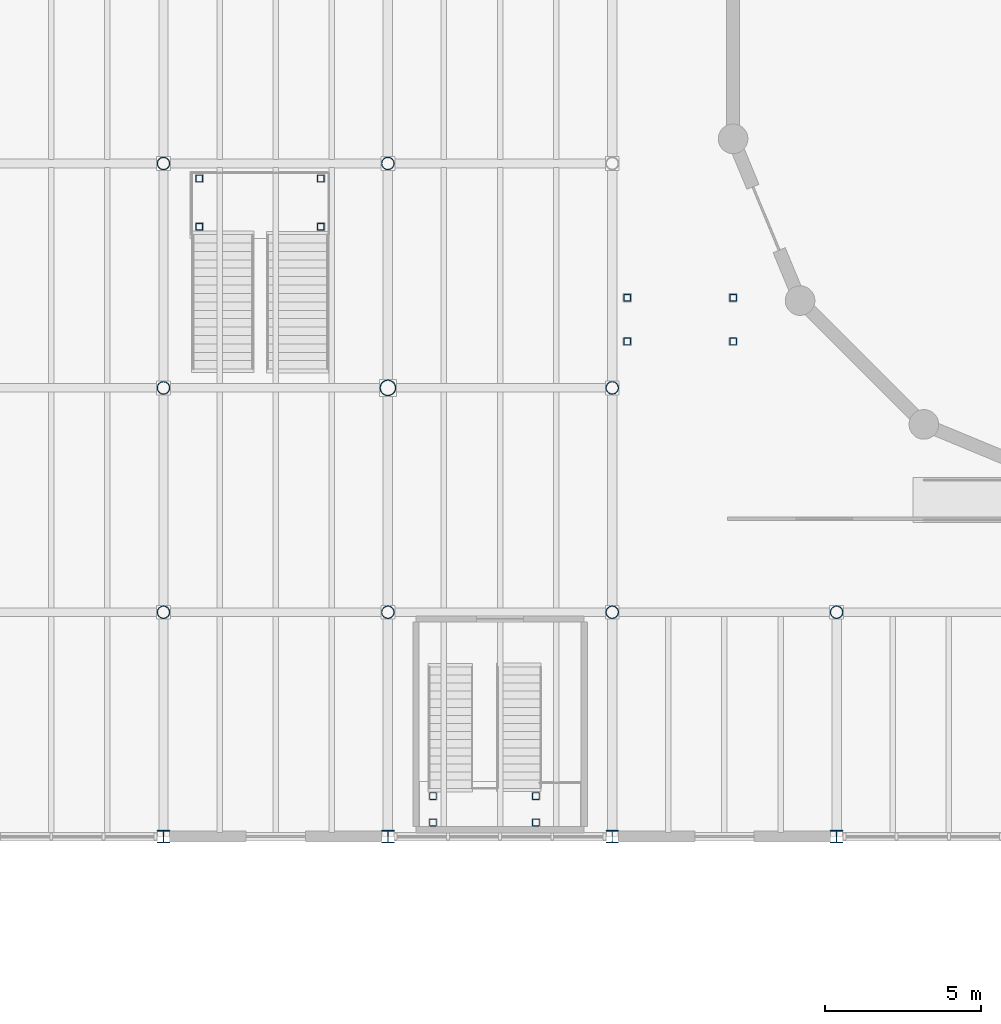
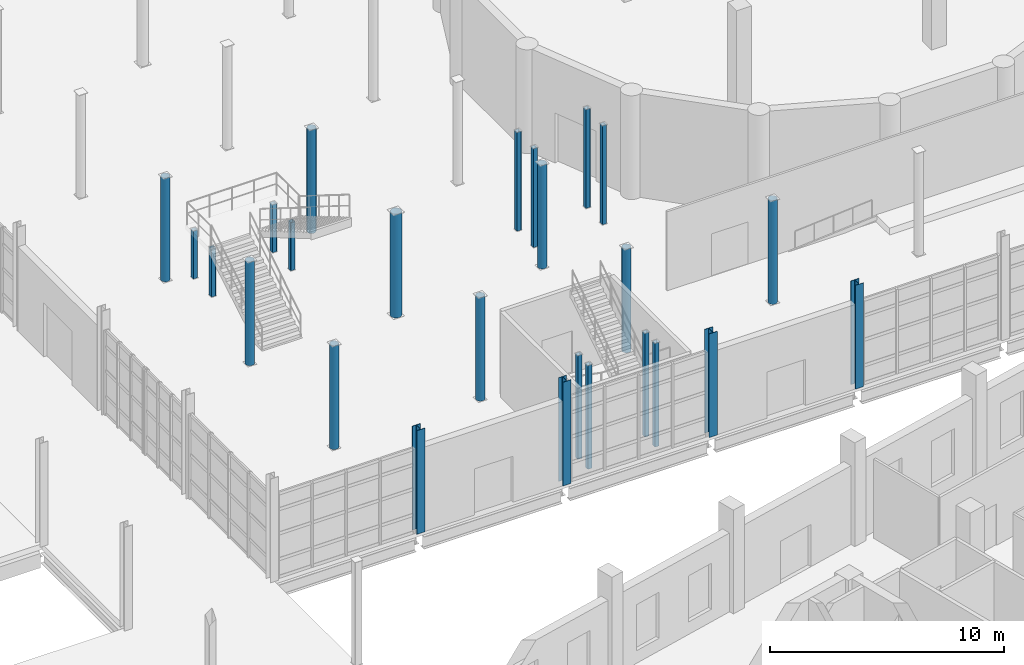
# One storey, part 4 of 79: 25 columns.
"""IFC4 building model written with IfcOpenShell, lengths in metres."""

from ifc_helpers import new_model, si_unit, direction, frame, origin, origin_2d, place, context, subcontext, project, spatial, hollow_rectangle, hollow_circle, i_section, extrude, material, material_profile, profile_set, type_object, element, save


model = new_model("IFC4")

# Units and contexts
model_context = context("Model", 3, precision=1e-05, world=origin(), true_north=direction((0.0, 1.0)))
body_context = subcontext(model_context, "Body", "Model", "MODEL_VIEW")
ifc_project = project(units=[si_unit("LENGTHUNIT", "METRE"), si_unit("AREAUNIT", "SQUARE_METRE"), si_unit("VOLUMEUNIT", "CUBIC_METRE"), si_unit("PLANEANGLEUNIT", "RADIAN"), si_unit("MASSUNIT", "GRAM", prefix="KILO")], contexts=[model_context])

# Site, building, storey
site_placement = place(None, origin())
site = spatial("IfcSite", under=ifc_project, at=site_placement, CompositionType="ELEMENT")
building_placement = place(site_placement, origin())
building = spatial("IfcBuilding", under=site, at=building_placement, Name="Qiaolan Assembly House", CompositionType="ELEMENT")
storey_placement = place(building_placement, origin())
storey = spatial("IfcBuildingStorey", under=building, at=storey_placement, Name="L00", CompositionType="ELEMENT", Elevation=0.0)

# Columns
ifc_material = material(Name="Steel Q355B", Category="steel")
ifc_material_profile_1 = material_profile(ifc_material, hollow_circle(Radius=0.203125, WallThickness=0.013916015625, at=origin_2d()), Name="CHS 406.4x14")
ifc_profile_set_1 = profile_set([ifc_material_profile_1], Name="Steel Q355B")
column_type_1 = type_object("IfcColumnType", Name="COL-STL-CHS406", PredefinedType="COLUMN", material=ifc_profile_set_1)
for number, where, z_axis, x_axis, name in (
    (1, (36.0, 43.199951171875, 0.0), (0.0, 0.0, 1.0), (1.0, 0.0, 0.0), "SC-06 hall column L00"),
    (2, (36.0, 50.39990234375, 0.0), (0.0, 0.0, 1.0), (1.0, 0.0, 0.0), "SC-06 hall column L00"),
    (3, (36.0, 57.60009765625, 0.0), (0.0, 0.0, 1.0), (1.0, 0.0, 0.0), "SC-06 hall column L00"),
    (4, (43.199951171875, 43.199951171875, 0.0), (0.0, 0.0, 1.0), (1.0, 0.0, 0.0), "SC-06 hall column L00"),
    (5, (43.199951171875, 57.60009765625, 0.0), (0.0, 0.0, 1.0), (1.0, 0.0, 0.0), "SC-06 hall column L00"),
    (6, (50.39990234375, 43.199951171875, 0.0), (0.0, 0.0, 1.0), (1.0, 0.0, 0.0), "SC-06 hall column L00"),
    (7, (50.39990234375, 50.39990234375, 0.0), (0.0, 0.0, 1.0), (1.0, 0.0, 0.0), "SC-06 hall column L00"),
    (8, (57.60009765625, 43.199951171875, 0.0), (0.0, 0.0, 1.0), (1.0, 0.0, 0.0), "SC-06 hall column L00"),
):
    element("IfcColumn", number, at=place(storey_placement, frame(where, z_axis=z_axis, x_axis=x_axis)), inside=storey, type_object=column_type_1, Name=name, PredefinedType="COLUMN", context=body_context, shape_type="SweptSolid", body=[
        extrude(hollow_circle(Radius=0.203125, WallThickness=0.013916015625, at=origin_2d()), origin(), (0.0, 0.0, 1.0), 5.39990234375),
    ])
ifc_material_profile_2 = material_profile(ifc_material, hollow_circle(Radius=0.25390625, WallThickness=0.01611328125, at=origin_2d()), Name="CHS 508x16")
ifc_profile_set_2 = profile_set([ifc_material_profile_2], Name="Steel Q355B")
column_type_2 = type_object("IfcColumnType", Name="COL-STL-CHS508", PredefinedType="COLUMN", material=ifc_profile_set_2)
column_placement = place(storey_placement, frame((43.199951171875, 50.39990234375, 0.0), z_axis=(0.0, 0.0, 1.0), x_axis=(1.0, 0.0, 0.0)))
element("IfcColumn", 9, at=column_placement, inside=storey, type_object=column_type_2, Name="SC-07 hall column L00", PredefinedType="COLUMN", context=body_context, shape_type="SweptSolid", body=[
    extrude(hollow_circle(Radius=0.25390625, WallThickness=0.01611328125, at=origin_2d()), origin(), (0.0, 0.0, 1.0), 5.39990234375),
])
ifc_material_profile_3 = material_profile(ifc_material, i_section(OverallWidth=0.39990234375, OverallDepth=0.39990234375, WebThickness=0.012939453125, FlangeThickness=0.02099609375, FilletRadius=0.02197265625, at=origin_2d()), Name="HW 400x400x13x21")
ifc_profile_set_3 = profile_set([ifc_material_profile_3], Name="Steel Q355B")
column_type_3 = type_object("IfcColumnType", Name="COL-STL-HW400", PredefinedType="COLUMN", material=ifc_profile_set_3)
for number, where, z_axis, x_axis, name in (
    (10, (36.0, 36.0, 0.0), (0.0, 0.0, 1.0), (1.0, 0.0, 0.0), "SC-01 hall column L00"),
    (11, (43.199951171875, 36.0, 0.0), (0.0, 0.0, 1.0), (1.0, 0.0, 0.0), "SC-01 hall column L00"),
    (12, (50.39990234375, 36.0, 0.0), (0.0, 0.0, 1.0), (1.0, 0.0, 0.0), "SC-01 hall column L00"),
    (13, (57.60009765625, 36.0, 0.0), (0.0, 0.0, 1.0), (1.0, 0.0, 0.0), "SC-01 hall column L00"),
):
    element("IfcColumn", number, at=place(storey_placement, frame(where, z_axis=z_axis, x_axis=x_axis)), inside=storey, type_object=column_type_3, Name=name, PredefinedType="COLUMN", context=body_context, shape_type="SweptSolid", body=[
        extrude(i_section(OverallWidth=0.39990234375, OverallDepth=0.39990234375, WebThickness=0.012939453125, FlangeThickness=0.02099609375, FilletRadius=0.02197265625, at=origin_2d()), origin(), (0.0, 0.0, 1.0), 5.39990234375),
    ])
ifc_material_profile_4 = material_profile(ifc_material, hollow_rectangle(XDim=0.219970703125, YDim=0.219970703125, WallThickness=0.010009765625, InnerFilletRadius=0.010009765625, OuterFilletRadius=0.02001953125, at=origin_2d()), Name="SHS 220x220x10")
ifc_profile_set_4 = profile_set([ifc_material_profile_4], Name="Steel Q355B")
column_type_4 = type_object("IfcColumnType", Name="COL-STL-SHS220", PredefinedType="COLUMN", material=ifc_profile_set_4)
for number, where, z_axis, x_axis, name in (
    (14, (37.14990234375, 55.570068359375, 0.0), (0.0, 0.0, 1.0), (1.0, 0.0, 0.0), "SC-08 ceremonial stair support column ST-H1-1"),
    (15, (41.050048828125, 55.570068359375, 0.0), (0.0, 0.0, 1.0), (1.0, 0.0, 0.0), "SC-08 ceremonial stair support column ST-H1-2"),
    (16, (37.14990234375, 57.1201171875, 0.0), (0.0, 0.0, 1.0), (1.0, 0.0, 0.0), "SC-08 ceremonial stair support column ST-H1-3"),
    (17, (41.050048828125, 57.1201171875, 0.0), (0.0, 0.0, 1.0), (1.0, 0.0, 0.0), "SC-08 ceremonial stair support column ST-H1-4"),
):
    element("IfcColumn", number, at=place(storey_placement, frame(where, z_axis=z_axis, x_axis=x_axis)), inside=storey, type_object=column_type_4, Name=name, PredefinedType="COLUMN", context=body_context, shape_type="SweptSolid", body=[
        extrude(hollow_rectangle(XDim=0.219970703125, YDim=0.219970703125, WallThickness=0.010009765625, InnerFilletRadius=0.010009765625, OuterFilletRadius=0.02001953125, at=origin_2d()), origin(), (0.0, 0.0, 1.0), 2.5),
    ])
for number, where, z_axis, x_axis, name in (
    (18, (50.8798828125, 51.889892578125, 0.0), (0.0, 0.0, 1.0), (1.0, 0.0, 0.0), "SC-08 gallery stair L00 column 1"),
    (19, (54.280029296875, 51.889892578125, 0.0), (0.0, 0.0, 1.0), (1.0, 0.0, 0.0), "SC-08 gallery stair L00 column 2"),
    (20, (50.8798828125, 53.2900390625, 0.0), (0.0, 0.0, 1.0), (1.0, 0.0, 0.0), "SC-08 gallery stair L00 column 3"),
    (21, (54.280029296875, 53.2900390625, 0.0), (0.0, 0.0, 1.0), (1.0, 0.0, 0.0), "SC-08 gallery stair L00 column 4"),
):
    element("IfcColumn", number, at=place(storey_placement, frame(where, z_axis=z_axis, x_axis=x_axis)), inside=storey, type_object=column_type_4, Name=name, PredefinedType="COLUMN", context=body_context, shape_type="SweptSolid", body=[
        extrude(hollow_rectangle(XDim=0.219970703125, YDim=0.219970703125, WallThickness=0.010009765625, InnerFilletRadius=0.010009765625, OuterFilletRadius=0.02001953125, at=origin_2d()), origin(), (0.0, 0.0, 1.0), 5.14990234375),
    ])
for number, where, z_axis, x_axis, name in (
    (22, (44.64990234375, 36.449951171875, 0.0), (0.0, 0.0, 1.0), (1.0, 0.0, 0.0), "SC-08 foyer stair L00 column F1-1"),
    (23, (47.949951171875, 36.449951171875, 0.0), (0.0, 0.0, 1.0), (1.0, 0.0, 0.0), "SC-08 foyer stair L00 column F1-2"),
    (24, (44.64990234375, 37.300048828125, 0.0), (0.0, 0.0, 1.0), (1.0, 0.0, 0.0), "SC-08 foyer stair L00 column F1-3"),
    (25, (47.949951171875, 37.300048828125, 0.0), (0.0, 0.0, 1.0), (1.0, 0.0, 0.0), "SC-08 foyer stair L00 column F1-4"),
):
    element("IfcColumn", number, at=place(storey_placement, frame(where, z_axis=z_axis, x_axis=x_axis)), inside=storey, type_object=column_type_4, Name=name, PredefinedType="COLUMN", context=body_context, shape_type="SweptSolid", body=[
        extrude(hollow_rectangle(XDim=0.219970703125, YDim=0.219970703125, WallThickness=0.010009765625, InnerFilletRadius=0.010009765625, OuterFilletRadius=0.02001953125, at=origin_2d()), origin(), (0.0, 0.0, 1.0), 5.39990234375),
    ])

save(model, "model.ifc")
